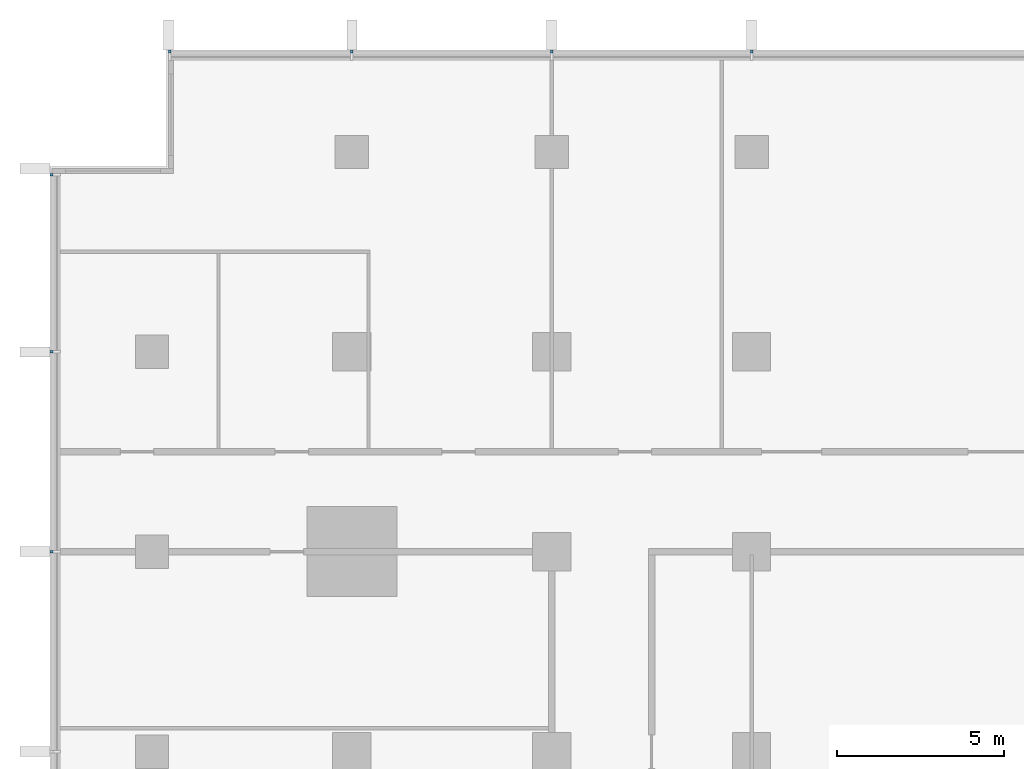
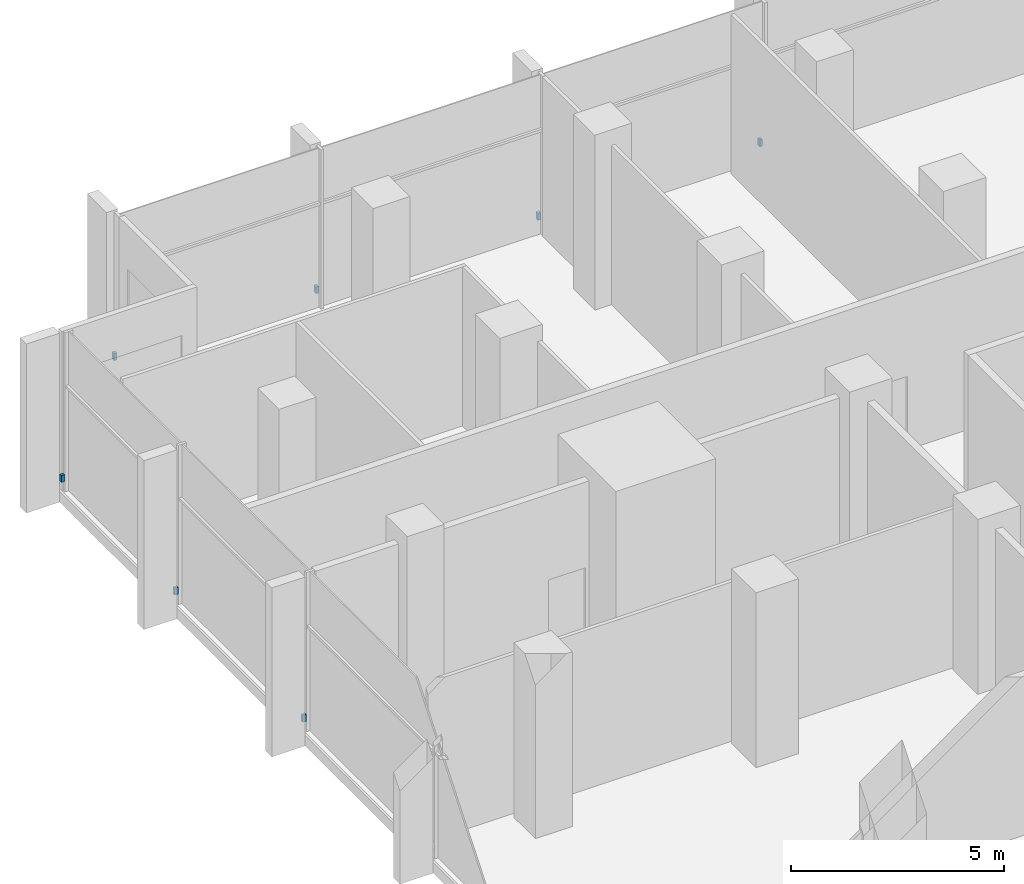
# One storey, part 13 of 15: 7 discrete accessories.
"""IFC4 building model written with IfcOpenShell, lengths in metres."""

import ifcopenshell
import ifcopenshell.guid

model = None  # the IFC model being written
_history = None  # IfcOwnerHistory: only IFC2X3 demands one
_inside = {}  # id of a spatial element -> (the spatial element, [elements in it])
_under = {}  # id of a project, library or spatial element -> (it, [spatial elements below it])
_declared = {}  # id of a project -> (the project, [libraries it declares])
_typed = {}  # id of a type object -> (the type object, [elements of that type])
_made_of = {}  # id of a material, layer set ... -> (it, [elements and type objects made of it])


def new_model(schema):
    """Start an empty IFC model of exactly this schema.

    Asked for "IFC4X3", IfcOpenShell would pick the latest addendum, in which some entities
    have other attributes; the version numbers below select the first issue.
    IFC2X3 requires an IfcOwnerHistory on every rooted entity: one is made here for all.
    """
    global model, _history
    if schema == "IFC4X3":
        model = ifcopenshell.file(schema_version=(4, 3, 0, 0))
    else:
        model = ifcopenshell.file(schema=schema)
    _inside.clear()
    _under.clear()
    _declared.clear()
    _typed.clear()
    _made_of.clear()
    _history = None
    if model.schema == "IFC2X3":
        org = make("IfcOrganization", Name="unknown")
        user = make(
            "IfcPersonAndOrganization",
            ThePerson=make("IfcPerson", FamilyName="unknown"),
            TheOrganization=org,
        )
        app = make(
            "IfcApplication",
            ApplicationDeveloper=org,
            Version="unknown",
            ApplicationFullName="unknown",
            ApplicationIdentifier="unknown",
        )
        _history = make(
            "IfcOwnerHistory",
            OwningUser=user,
            OwningApplication=app,
            ChangeAction="ADDED",
            CreationDate=0,
        )
    return model


def make(cls, **values):
    """One entity of the class cls with the attributes given. An attribute that is None is left unset."""
    return model.create_entity(
        cls, **{name: value for name, value in values.items() if value is not None}
    )


def rooted(cls, **values):
    """An entity with a GlobalId (a new one), such as an element, a storey or a relation."""
    return make(cls, GlobalId=ifcopenshell.guid.new(), OwnerHistory=_history, **values)


def si_unit(unit_type, name, prefix=None):
    """IfcSIUnit, for example si_unit("LENGTHUNIT", "METRE", prefix="MILLI")."""
    return make("IfcSIUnit", UnitType=unit_type, Prefix=prefix, Name=name)


def assignment(units):
    """IfcUnitAssignment: the units of a project."""
    return None if units is None else make("IfcUnitAssignment", Units=units)


def point(xyz):
    """IfcCartesianPoint."""
    return None if xyz is None else make("IfcCartesianPoint", Coordinates=xyz)


def direction(xyz):
    """IfcDirection."""
    return None if xyz is None else make("IfcDirection", DirectionRatios=xyz)


def frame(location, z_axis=None, x_axis=None):
    """IfcAxis2Placement3D, a coordinate frame: its origin and axes. An axis left out is left unset."""
    return make(
        "IfcAxis2Placement3D",
        Location=point(location),
        Axis=direction(z_axis),
        RefDirection=direction(x_axis),
    )


def frame_2d(location, x_axis=None):
    """IfcAxis2Placement2D, a coordinate frame in the plane: its origin and x axis."""
    return make(
        "IfcAxis2Placement2D", Location=point(location), RefDirection=direction(x_axis)
    )


def origin():
    """The frame at (0, 0, 0) with its axes left unset."""
    return frame((0.0, 0.0, 0.0))


def origin_2d():
    """The frame at (0, 0) in the plane with its x axis left unset."""
    return frame_2d((0.0, 0.0))


def place(relative_to, where):
    """IfcLocalPlacement: puts the frame where relative to a parent placement (None: the world)."""
    return make(
        "IfcLocalPlacement", PlacementRelTo=relative_to, RelativePlacement=where
    )


def context(
    kind, dimensions, precision=None, world=None, true_north=None, identifier=None
):
    """IfcGeometricRepresentationContext, for example the 3D "Model" context."""
    return make(
        "IfcGeometricRepresentationContext",
        ContextIdentifier=identifier,
        ContextType=kind,
        CoordinateSpaceDimension=dimensions,
        Precision=precision,
        WorldCoordinateSystem=world,
        TrueNorth=true_north,
    )


def subcontext(parent, identifier, kind, view, scale=None):
    """IfcGeometricRepresentationSubContext, for example "Body" below "Model"."""
    return make(
        "IfcGeometricRepresentationSubContext",
        ContextIdentifier=identifier,
        ContextType=kind,
        ParentContext=parent,
        TargetScale=scale,
        TargetView=view,
    )


def project(units=None, contexts=None):
    """IfcProject with its units and contexts."""
    return rooted(
        "IfcProject",
        Name="project",
        RepresentationContexts=contexts,
        UnitsInContext=assignment(units),
    )


def spatial(cls, under=None, at=None, **own):
    """A site, building, storey or space (cls), placed at a placement, below another one or the project."""
    s = rooted(cls, ObjectPlacement=at, **own)
    if under is not None:
        _under.setdefault(under.id(), (under, []))[1].append(s)
    return s


def profile(cls, at=None, kind="AREA", **sizes):
    """A parametric profile (cls). Its sizes go by their IFC names, for example OverallWidth=200.0."""
    return make(cls, ProfileType=kind, Position=at, **sizes)


def rectangle(**sizes):
    """IfcRectangleProfileDef."""
    return profile("IfcRectangleProfileDef", **sizes)


def extrude(swept, where, along, depth):
    """IfcExtrudedAreaSolid: the profile swept, set in the frame where, extruded along a direction by depth."""
    return make(
        "IfcExtrudedAreaSolid",
        SweptArea=swept,
        Position=where,
        ExtrudedDirection=direction(along),
        Depth=depth,
    )


def shape(context_of_items, identifier, shape_type, items):
    """IfcShapeRepresentation: the items that make up one representation, for example the "Body"."""
    return make(
        "IfcShapeRepresentation",
        ContextOfItems=context_of_items,
        RepresentationIdentifier=identifier,
        RepresentationType=shape_type,
        Items=items,
    )


def material(Name=None, Category=None):
    """IfcMaterial."""
    return make("IfcMaterial", Name=Name, Category=Category)


def made_of(thing, what):
    """Note that an element or type object is made of a material, layer set ...; save() writes the relation."""
    if what is not None:
        _made_of.setdefault(what.id(), (what, []))[1].append(thing)
    return thing


def type_object(cls, material=None, **own):
    """A type object (cls), such as IfcWallType, which elements share."""
    return made_of(rooted(cls, **own), material)


def element(
    cls,
    number,
    at=None,
    inside=None,
    cuts=None,
    type_object=None,
    material=None,
    context=None,
    identifier="Body",
    shape_type=None,
    held_by="IfcProductDefinitionShape",
    body=None,
    shapes=None,
    **own,
):
    """One element of the class cls, such as IfcWall. Its Tag is "e" and its number.

    at: its placement. inside: the storey or other place that contains it. cuts: it is an
    opening in that element (IfcRelVoidsElement). A single representation is given by context,
    identifier, shape_type and body (its items); several are given by shapes. held_by: the class
    of the entity that holds the representations. save() writes the other relations.
    """
    e = rooted(cls, Tag="e%d" % number, ObjectPlacement=at, **own)
    if body is not None:
        shapes = [shape(context, identifier, shape_type, body)]
    if shapes is not None:
        e.Representation = make(held_by, Representations=shapes)
    if inside is not None:
        _inside.setdefault(inside.id(), (inside, []))[1].append(e)
    if cuts is not None:
        rooted(
            "IfcRelVoidsElement", RelatingBuildingElement=cuts, RelatedOpeningElement=e
        )
    if type_object is not None:
        _typed.setdefault(type_object.id(), (type_object, []))[1].append(e)
    return made_of(e, material)


def aggregate(whole, parts):
    """IfcRelAggregates: a whole, such as a stair, and the parts it consists of."""
    return rooted("IfcRelAggregates", RelatingObject=whole, RelatedObjects=parts)


def save(model, path):
    """Write the relations noted so far, then the file.

    IfcRelAggregates (storeys below a building ...), IfcRelContainedInSpatialStructure (elements
    in a storey), IfcRelDefinesByType, IfcRelAssociatesMaterial and IfcRelDeclares: one each for
    every whole, place, type object, material and project.
    """
    for whole, parts in _under.values():
        aggregate(whole, parts)
    for where, things in _inside.values():
        rooted(
            "IfcRelContainedInSpatialStructure",
            RelatedElements=things,
            RelatingStructure=where,
        )
    for kind, things in _typed.values():
        rooted("IfcRelDefinesByType", RelatedObjects=things, RelatingType=kind)
    for what, things in _made_of.values():
        rooted("IfcRelAssociatesMaterial", RelatedObjects=things, RelatingMaterial=what)
    for by, libraries in _declared.values():
        rooted("IfcRelDeclares", RelatingContext=by, RelatedDefinitions=libraries)
    model.write(path)


model = new_model("IFC4")

# Units and contexts
model_context = context("Model", 3, precision=1e-05, world=origin(), true_north=direction((0.0, 1.0)))
body_context = subcontext(model_context, "Body", "Model", "MODEL_VIEW")
ifc_project = project(units=[si_unit("LENGTHUNIT", "METRE"), si_unit("AREAUNIT", "SQUARE_METRE"), si_unit("VOLUMEUNIT", "CUBIC_METRE"), si_unit("PLANEANGLEUNIT", "RADIAN"), si_unit("MASSUNIT", "GRAM", prefix="KILO")], contexts=[model_context])

# Site, building, storey
site_placement = place(None, origin())
site = spatial("IfcSite", under=ifc_project, at=site_placement, CompositionType="ELEMENT")
building_placement = place(site_placement, origin())
building = spatial("IfcBuilding", under=site, at=building_placement, Name="Finial Court Residences", CompositionType="ELEMENT")
storey_placement = place(building_placement, frame((0.0, 0.0, 138.89990234375)))
storey = spatial("IfcBuildingStorey", under=building, at=storey_placement, Name="L34", CompositionType="ELEMENT", Elevation=138.89990234375)

# Discrete accessories
ifc_material = material(Name="Stainless steel 316", Category="steel")
discrete_accessory_type = type_object("IfcDiscreteAccessoryType", Name="Fin bracket, stainless steel 75 x 98 x 200", PredefinedType="BRACKET", material=ifc_material)
for number, where, z_axis, x_axis, name in (
    (1, (-21.96240234375, 22.51123046875, 0.30029296875), (0.0, 0.0, 1.0), (1.0, 0.0, 0.0), "E-L34-FIN-N1-BRK"),
    (2, (-16.5, 22.51123046875, 0.30029296875), (0.0, 0.0, 1.0), (1.0, 0.0, 0.0), "E-L34-FIN-N2-BRK"),
    (3, (-10.5, 22.51123046875, 0.30029296875), (0.0, 0.0, 1.0), (1.0, 0.0, 0.0), "E-L34-FIN-N3-BRK"),
    (4, (-4.5, 22.51123046875, 0.30029296875), (0.0, 0.0, 1.0), (1.0, 0.0, 0.0), "E-L34-FIN-N4-BRK"),
):
    element("IfcDiscreteAccessory", number, at=place(storey_placement, frame(where, z_axis=z_axis, x_axis=x_axis)), inside=storey, type_object=discrete_accessory_type, Name=name, PredefinedType="BRACKET", context=body_context, shape_type="SweptSolid", body=[
        extrude(rectangle(XDim=0.074951171875, YDim=0.097412109375, at=origin_2d()), origin(), (0.0, 0.0, 1.0), 0.199951171875),
    ])
for number, where, z_axis, x_axis, name in (
    (5, (-25.51123046875, 7.5, 0.30029296875), (0.0, 0.0, 1.0), (1.0, 0.0, 0.0), "E-L34-FIN-W30-BRK"),
    (6, (-25.51123046875, 13.5, 0.30029296875), (0.0, 0.0, 1.0), (1.0, 0.0, 0.0), "E-L34-FIN-W31-BRK"),
    (7, (-25.51123046875, 18.8125, 0.30029296875), (0.0, 0.0, 1.0), (1.0, 0.0, 0.0), "E-L34-FIN-W32-BRK"),
):
    element("IfcDiscreteAccessory", number, at=place(storey_placement, frame(where, z_axis=z_axis, x_axis=x_axis)), inside=storey, type_object=discrete_accessory_type, Name=name, PredefinedType="BRACKET", context=body_context, shape_type="SweptSolid", body=[
        extrude(rectangle(XDim=0.097412109375, YDim=0.074951171875, at=origin_2d()), origin(), (0.0, 0.0, 1.0), 0.199951171875),
    ])

save(model, "model.ifc")
